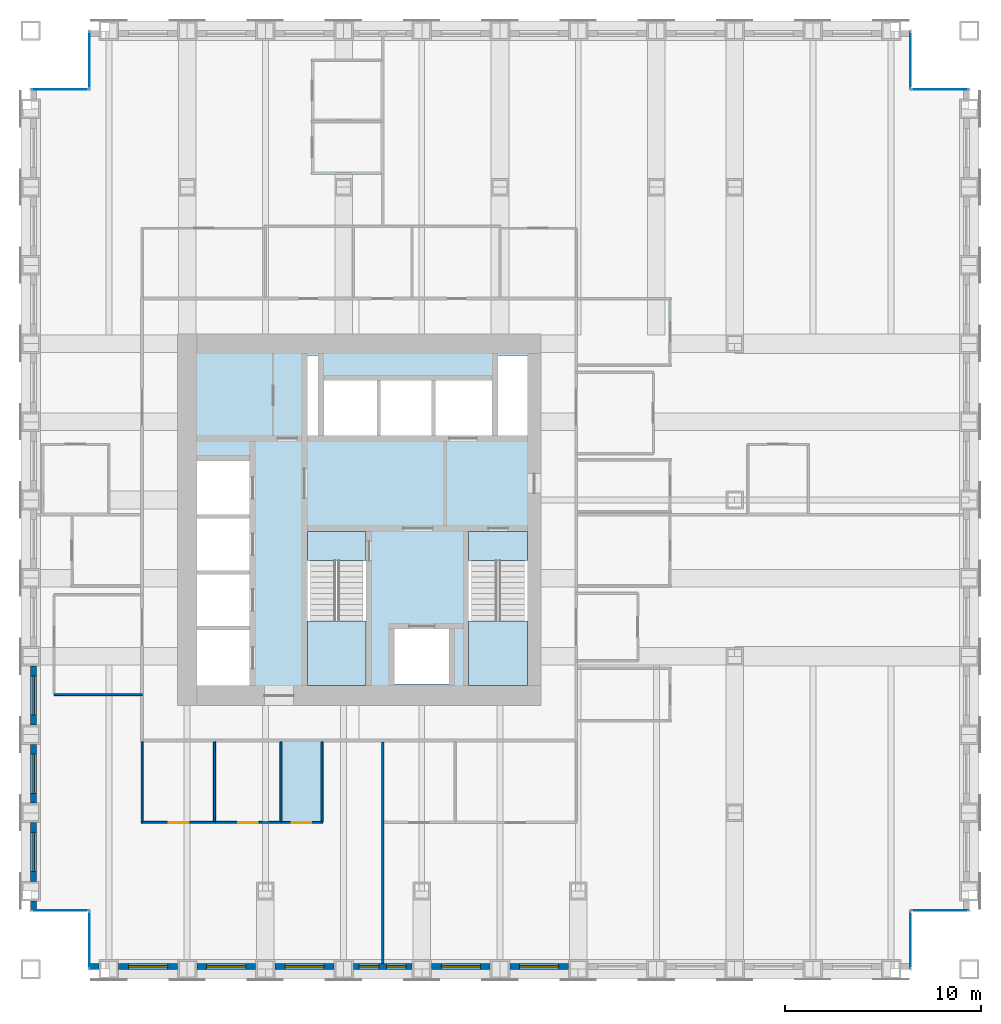
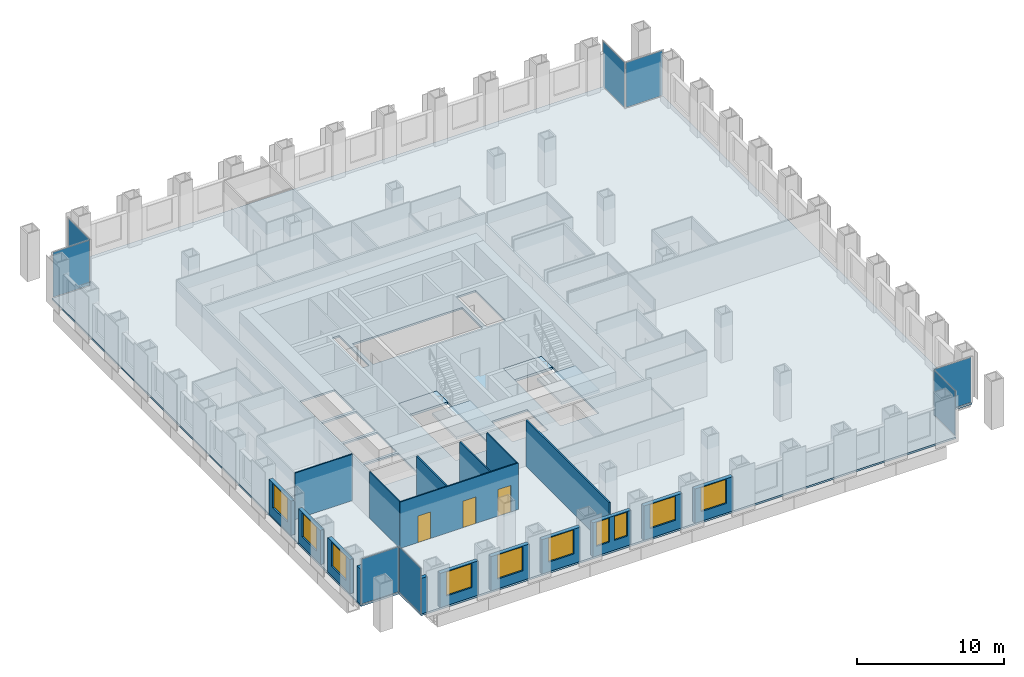
# One storey, part 10 of 16: 18 walls, 10 windows, 8 plates, 5 slabs, 3 doors, 13 openings, 10 elements without a shape of their own.
"""IFC4 building model written with IfcOpenShell, lengths in metres."""

from ifc_helpers import new_model, si_unit, direction, frame, frame_2d, origin, origin_2d, place, context, subcontext, project, spatial, polyline, rectangle, outline, extrude, material, layer, layer_set, type_object, element, fill, aggregate, save


model = new_model("IFC4")

# Units and contexts
model_context = context("Model", 3, precision=1e-05, world=origin(), true_north=direction((0.0, 1.0)))
body_context = subcontext(model_context, "Body", "Model", "MODEL_VIEW")
ifc_project = project(units=[si_unit("LENGTHUNIT", "METRE"), si_unit("AREAUNIT", "SQUARE_METRE"), si_unit("VOLUMEUNIT", "CUBIC_METRE"), si_unit("PLANEANGLEUNIT", "RADIAN"), si_unit("MASSUNIT", "GRAM", prefix="KILO")], contexts=[model_context])

# Site, building, storey
site_placement = place(None, origin())
site = spatial("IfcSite", under=ifc_project, at=site_placement, CompositionType="ELEMENT")
building_placement = place(site_placement, origin())
building = spatial("IfcBuilding", under=site, at=building_placement, Name="Rimbunsela Tower", CompositionType="ELEMENT")
storey_placement = place(building_placement, frame((0.0, 0.0, 129.39990234375)))
storey = spatial("IfcBuildingStorey", under=building, at=storey_placement, Name="L31", CompositionType="ELEMENT", Elevation=129.39990234375)

# Slab
ifc_material_1 = material(Name="Concrete fc' 35 MPa", Category="concrete")
ifc_layer_1 = layer(ifc_material_1, 0.14990234375)
ifc_layer_set_1 = layer_set([ifc_layer_1], Name="Floor slab 150")
slab_type_1 = type_object("IfcSlabType", Name="Floor slab 150", PredefinedType="FLOOR", material=ifc_layer_set_1)
slab_1_placement = place(storey_placement, frame((0.0, 0.0, -0.14990234375)))
element("IfcSlab", 1, at=slab_1_placement, inside=storey, type_object=slab_type_1, Name="Floor slab L31", PredefinedType="FLOOR", context=body_context, shape_type="SweptSolid", body=[
    extrude(outline(polyline([(13.0, 4.0), (55.0, 4.0), (55.0, 7.0), (58.0, 7.0), (58.0, 49.0), (55.0, 49.0), (55.0, 52.0), (13.0, 52.0), (13.0, 49.0), (10.0, 49.0), (10.0, 7.0), (13.0, 7.0), (13.0, 4.0)]), holes=[polyline([(21.199951171875, 21.35009765625), (18.5, 21.35009765625), (18.5, 18.5), (21.199951171875, 18.5), (21.199951171875, 21.35009765625)]), polyline([(21.199951171875, 21.550048828125), (21.199951171875, 24.199951171875), (18.5, 24.199951171875), (18.5, 21.550048828125), (21.199951171875, 21.550048828125)]), polyline([(21.199951171875, 27.050048828125), (18.5, 27.050048828125), (18.5, 24.39990234375), (21.199951171875, 24.39990234375), (21.199951171875, 27.050048828125)]), polyline([(21.199951171875, 27.25), (21.199951171875, 30.0), (18.5, 30.0), (18.5, 27.25), (21.199951171875, 27.25)]), polyline([(27.14990234375, 18.60009765625), (27.14990234375, 26.39990234375), (24.14990234375, 26.39990234375), (24.14990234375, 18.60009765625), (27.14990234375, 18.60009765625)]), polyline([(24.699951171875, 31.300048828125), (24.699951171875, 35.39990234375), (24.14990234375, 35.39990234375), (24.14990234375, 31.300048828125), (24.699951171875, 31.300048828125)]), polyline([(25.0, 34.10009765625), (25.0, 31.300048828125), (33.60009765625, 31.300048828125), (33.60009765625, 34.10009765625), (25.0, 34.10009765625)]), polyline([(31.39990234375, 21.39990234375), (28.60009765625, 21.39990234375), (28.60009765625, 18.60009765625), (31.39990234375, 18.60009765625), (31.39990234375, 21.39990234375)]), polyline([(35.39990234375, 18.60009765625), (35.39990234375, 26.39990234375), (32.39990234375, 26.39990234375), (32.39990234375, 18.60009765625), (35.39990234375, 18.60009765625)]), polyline([(35.39990234375, 31.300048828125), (35.39990234375, 35.39990234375), (33.89990234375, 35.39990234375), (33.89990234375, 31.300048828125), (35.39990234375, 31.300048828125)])]), origin(), (0.0, 0.0, 1.0), 0.14990234375),
])

# Curtain wall, plate
ifc_material_2 = material(Name="Aluminium curtain wall", Category="aluminium")
curtain_wall_type = type_object("IfcCurtainWallType", Name="Corner glazing", PredefinedType="USERDEFINED", material=ifc_material_2)
curtain_wall_1_placement = place(storey_placement, origin())
curtain_wall_1 = element("IfcCurtainWall", 2, at=curtain_wall_1_placement, inside=storey, type_object=curtain_wall_type, Name="Corner glazing L31", ObjectType="CORNER GLAZING", PredefinedType="USERDEFINED")
ifc_material_3 = material(Name="Clear double glazing", Category="glass")
ifc_layer_2 = layer(ifc_material_3, 0.028076171875)
ifc_layer_set_2 = layer_set([ifc_layer_2], Name="Glazed panel clear")
plate_type = type_object("IfcPlateType", Name="Glazed panel clear", PredefinedType="CURTAIN_PANEL", material=ifc_layer_set_2)
plate_1_placement = place(storey_placement, frame((55.0, 5.5, 0.06005859375), z_axis=(0.0, 0.0, 1.0), x_axis=(0.0, 1.0, 0.0)))
plate_1 = element("IfcPlate", 3, at=plate_1_placement, type_object=plate_type, Name="CW5 panel 1.1", PredefinedType="CURTAIN_PANEL", context=body_context, shape_type="SweptSolid", body=[
    extrude(rectangle(XDim=2.8798828125, YDim=0.028076171875, at=origin_2d()), origin(), (0.0, 0.0, 1.0), 3.72998046875),
])
aggregate(curtain_wall_1, [plate_1])

curtain_wall_2_placement = place(storey_placement, origin())
curtain_wall_2 = element("IfcCurtainWall", 4, at=curtain_wall_2_placement, inside=storey, type_object=curtain_wall_type, Name="Corner glazing L31", ObjectType="CORNER GLAZING", PredefinedType="USERDEFINED")
plate_2_placement = place(storey_placement, frame((56.5, 7.0, 0.06005859375), z_axis=(0.0, 0.0, 1.0), x_axis=(1.0, 0.0, 0.0)))
plate_2 = element("IfcPlate", 5, at=plate_2_placement, type_object=plate_type, Name="CW5 panel 1.1", PredefinedType="CURTAIN_PANEL", context=body_context, shape_type="SweptSolid", body=[
    extrude(rectangle(XDim=2.8798828125, YDim=0.028076171875, at=origin_2d()), origin(), (0.0, 0.0, 1.0), 3.72998046875),
])
aggregate(curtain_wall_2, [plate_2])

curtain_wall_3_placement = place(storey_placement, origin())
curtain_wall_3 = element("IfcCurtainWall", 6, at=curtain_wall_3_placement, inside=storey, type_object=curtain_wall_type, Name="Corner glazing L31", ObjectType="CORNER GLAZING", PredefinedType="USERDEFINED")
plate_3_placement = place(storey_placement, frame((56.5, 49.0, 0.06005859375), z_axis=(0.0, 0.0, 1.0), x_axis=(-1.0, 0.0, 0.0)))
plate_3 = element("IfcPlate", 7, at=plate_3_placement, type_object=plate_type, Name="CW5 panel 1.1", PredefinedType="CURTAIN_PANEL", context=body_context, shape_type="SweptSolid", body=[
    extrude(rectangle(XDim=2.8798828125, YDim=0.028076171875, at=origin_2d()), origin(), (0.0, 0.0, 1.0), 3.72998046875),
])
aggregate(curtain_wall_3, [plate_3])

curtain_wall_4_placement = place(storey_placement, origin())
curtain_wall_4 = element("IfcCurtainWall", 8, at=curtain_wall_4_placement, inside=storey, type_object=curtain_wall_type, Name="Corner glazing L31", ObjectType="CORNER GLAZING", PredefinedType="USERDEFINED")
plate_4_placement = place(storey_placement, frame((55.0, 50.5, 0.06005859375), z_axis=(0.0, 0.0, 1.0), x_axis=(0.0, 1.0, 0.0)))
plate_4 = element("IfcPlate", 9, at=plate_4_placement, type_object=plate_type, Name="CW5 panel 1.1", PredefinedType="CURTAIN_PANEL", context=body_context, shape_type="SweptSolid", body=[
    extrude(rectangle(XDim=2.8798828125, YDim=0.028076171875, at=origin_2d()), origin(), (0.0, 0.0, 1.0), 3.72998046875),
])
aggregate(curtain_wall_4, [plate_4])

curtain_wall_5_placement = place(storey_placement, origin())
curtain_wall_5 = element("IfcCurtainWall", 10, at=curtain_wall_5_placement, inside=storey, type_object=curtain_wall_type, Name="Corner glazing L31", ObjectType="CORNER GLAZING", PredefinedType="USERDEFINED")
plate_5_placement = place(storey_placement, frame((13.0, 50.5, 0.06005859375), z_axis=(0.0, 0.0, 1.0), x_axis=(0.0, -1.0, 0.0)))
plate_5 = element("IfcPlate", 11, at=plate_5_placement, type_object=plate_type, Name="CW5 panel 1.1", PredefinedType="CURTAIN_PANEL", context=body_context, shape_type="SweptSolid", body=[
    extrude(rectangle(XDim=2.8798828125, YDim=0.028076171875, at=origin_2d()), origin(), (0.0, 0.0, 1.0), 3.72998046875),
])
aggregate(curtain_wall_5, [plate_5])

curtain_wall_6_placement = place(storey_placement, origin())
curtain_wall_6 = element("IfcCurtainWall", 12, at=curtain_wall_6_placement, inside=storey, type_object=curtain_wall_type, Name="Corner glazing L31", ObjectType="CORNER GLAZING", PredefinedType="USERDEFINED")
plate_6_placement = place(storey_placement, frame((11.5, 49.0, 0.06005859375), z_axis=(0.0, 0.0, 1.0), x_axis=(-1.0, 0.0, 0.0)))
plate_6 = element("IfcPlate", 13, at=plate_6_placement, type_object=plate_type, Name="CW5 panel 1.1", PredefinedType="CURTAIN_PANEL", context=body_context, shape_type="SweptSolid", body=[
    extrude(rectangle(XDim=2.8798828125, YDim=0.028076171875, at=origin_2d()), origin(), (0.0, 0.0, 1.0), 3.72998046875),
])
aggregate(curtain_wall_6, [plate_6])

curtain_wall_7_placement = place(storey_placement, origin())
curtain_wall_7 = element("IfcCurtainWall", 14, at=curtain_wall_7_placement, inside=storey, type_object=curtain_wall_type, Name="Corner glazing L31", ObjectType="CORNER GLAZING", PredefinedType="USERDEFINED")
plate_7_placement = place(storey_placement, frame((11.5, 7.0, 0.06005859375), z_axis=(0.0, 0.0, 1.0), x_axis=(1.0, 0.0, 0.0)))
plate_7 = element("IfcPlate", 15, at=plate_7_placement, type_object=plate_type, Name="CW5 panel 1.1", PredefinedType="CURTAIN_PANEL", context=body_context, shape_type="SweptSolid", body=[
    extrude(rectangle(XDim=2.8798828125, YDim=0.028076171875, at=origin_2d()), origin(), (0.0, 0.0, 1.0), 3.72998046875),
])
aggregate(curtain_wall_7, [plate_7])

curtain_wall_8_placement = place(storey_placement, origin())
curtain_wall_8 = element("IfcCurtainWall", 16, at=curtain_wall_8_placement, inside=storey, type_object=curtain_wall_type, Name="Corner glazing L31", ObjectType="CORNER GLAZING", PredefinedType="USERDEFINED")
plate_8_placement = place(storey_placement, frame((13.0, 5.5, 0.06005859375), z_axis=(0.0, 0.0, 1.0), x_axis=(0.0, -1.0, 0.0)))
plate_8 = element("IfcPlate", 17, at=plate_8_placement, type_object=plate_type, Name="CW5 panel 1.1", PredefinedType="CURTAIN_PANEL", context=body_context, shape_type="SweptSolid", body=[
    extrude(rectangle(XDim=2.8798828125, YDim=0.028076171875, at=origin_2d()), origin(), (0.0, 0.0, 1.0), 3.72998046875),
])
aggregate(curtain_wall_8, [plate_8])

# Stair, slabs
ifc_material_4 = material(Name="Concrete fc' 35 MPa", Category="concrete")
stair_type = type_object("IfcStairType", Name="Exit stair 24 risers", PredefinedType="HALF_TURN_STAIR", material=ifc_material_4)
stair_1_placement = place(storey_placement, origin())
stair_1 = element("IfcStair", 18, at=stair_1_placement, inside=storey, type_object=stair_type, Name="Exit stair A L31", PredefinedType="HALF_TURN_STAIR")
ifc_material_5 = material(Name="Concrete fc' 35 MPa", Category="concrete")
ifc_layer_3 = layer(ifc_material_5, 0.199951171875)
ifc_layer_set_3 = layer_set([ifc_layer_3], Name="Stair landing 200")
slab_type_2 = type_object("IfcSlabType", Name="Stair landing 200", PredefinedType="LANDING", material=ifc_layer_set_3)
slab_2_placement = place(storey_placement, frame((0.0, 0.0, -0.199951171875)))
slab_2 = element("IfcSlab", 19, at=slab_2_placement, type_object=slab_type_2, Name="ST-A landing 1", PredefinedType="LANDING", context=body_context, shape_type="SweptSolid", body=[
    extrude(outline(polyline([(24.14990234375, 24.89990234375), (27.14990234375, 24.89990234375), (27.14990234375, 26.39990234375), (24.14990234375, 26.39990234375), (24.14990234375, 24.89990234375)])), origin(), (0.0, 0.0, 1.0), 0.199951171875),
])
slab_3_placement = place(storey_placement, frame((0.0, 0.0, 1.800048828125)))
slab_3 = element("IfcSlab", 20, at=slab_3_placement, type_object=slab_type_2, Name="ST-A landing 2", PredefinedType="LANDING", context=body_context, shape_type="SweptSolid", body=[
    extrude(outline(polyline([(24.14990234375, 18.5), (27.14990234375, 18.5), (27.14990234375, 21.820068359375), (24.14990234375, 21.820068359375), (24.14990234375, 18.5)])), origin(), (0.0, 0.0, 1.0), 0.199951171875),
])
aggregate(stair_1, [slab_2, slab_3])

stair_2_placement = place(storey_placement, origin())
stair_2 = element("IfcStair", 21, at=stair_2_placement, inside=storey, type_object=stair_type, Name="Exit stair B L31", PredefinedType="HALF_TURN_STAIR")
slab_4_placement = place(storey_placement, frame((0.0, 0.0, -0.199951171875)))
slab_4 = element("IfcSlab", 22, at=slab_4_placement, type_object=slab_type_2, Name="ST-B landing 1", PredefinedType="LANDING", context=body_context, shape_type="SweptSolid", body=[
    extrude(outline(polyline([(32.39990234375, 24.89990234375), (35.39990234375, 24.89990234375), (35.39990234375, 26.39990234375), (32.39990234375, 26.39990234375), (32.39990234375, 24.89990234375)])), origin(), (0.0, 0.0, 1.0), 0.199951171875),
])
slab_5_placement = place(storey_placement, frame((0.0, 0.0, 1.800048828125)))
slab_5 = element("IfcSlab", 23, at=slab_5_placement, type_object=slab_type_2, Name="ST-B landing 2", PredefinedType="LANDING", context=body_context, shape_type="SweptSolid", body=[
    extrude(outline(polyline([(32.39990234375, 18.5), (35.39990234375, 18.5), (35.39990234375, 21.820068359375), (32.39990234375, 21.820068359375), (32.39990234375, 18.5)])), origin(), (0.0, 0.0, 1.0), 0.199951171875),
])
aggregate(stair_2, [slab_4, slab_5])

# Wall, openings, doors
ifc_material_6 = material(Name="Gypsum board on steel studs", Category="steel")
ifc_layer_4 = layer(ifc_material_6, 0.10009765625)
ifc_layer_set_4 = layer_set([ifc_layer_4], Name="Office partition 100")
wall_type_1 = type_object("IfcWallType", Name="Office partition 100", PredefinedType="PARTITIONING", material=ifc_layer_set_4)
wall_1_placement = place(storey_placement, frame((15.64990234375, 11.5, 0.0), z_axis=(0.0, 0.0, 1.0), x_axis=(1.0, 0.0, 0.0)))
wall_1 = element("IfcWall", 24, at=wall_1_placement, inside=storey, type_object=wall_type_1, Name="Office partition", PredefinedType="PARTITIONING", context=body_context, shape_type="SweptSolid", body=[
    extrude(rectangle(XDim=9.300048828125, YDim=0.10009765625, at=frame_2d((4.64990234375, 0.0))), origin(), (0.0, 0.0, 1.0), 3.85009765625),
])
opening_1_placement = place(wall_1_placement, frame((1.39990234375, 0.0, 0.0)))
opening_1 = element("IfcOpeningElement", 25, at=opening_1_placement, cuts=wall_1, Name="Opening D17", PredefinedType="OPENING", context=body_context, shape_type="SweptSolid", body=[
    extrude(rectangle(XDim=1.0, YDim=2.199951171875, at=frame_2d((0.5, 1.10009765625))), frame((0.0, 0.06005859375, 0.0), z_axis=(0.0, -1.0, 0.0), x_axis=(1.0, 0.0, 0.0)), (0.0, 0.0, 1.0), 0.1201171875),
])
opening_2_placement = place(wall_1_placement, frame((4.949951171875, 0.0, 0.0)))
opening_2 = element("IfcOpeningElement", 26, at=opening_2_placement, cuts=wall_1, Name="Opening D16", PredefinedType="OPENING", context=body_context, shape_type="SweptSolid", body=[
    extrude(rectangle(XDim=1.0, YDim=2.199951171875, at=frame_2d((0.5, 1.10009765625))), frame((0.0, 0.06005859375, 0.0), z_axis=(0.0, -1.0, 0.0), x_axis=(1.0, 0.0, 0.0)), (0.0, 0.0, 1.0), 0.1201171875),
])
opening_3_placement = place(wall_1_placement, frame((7.699951171875, 0.0, 0.0)))
opening_3 = element("IfcOpeningElement", 27, at=opening_3_placement, cuts=wall_1, Name="Opening D16", PredefinedType="OPENING", context=body_context, shape_type="SweptSolid", body=[
    extrude(rectangle(XDim=1.0, YDim=2.199951171875, at=frame_2d((0.5, 1.10009765625))), frame((0.0, 0.06005859375, 0.0), z_axis=(0.0, -1.0, 0.0), x_axis=(1.0, 0.0, 0.0)), (0.0, 0.0, 1.0), 0.1201171875),
])
ifc_material_7 = material(Name="Glazed aluminium door", Category="aluminium")
door_type_1 = type_object("IfcDoorType", Name="Meeting room door 1000 glazed", OperationType="SINGLE_SWING_RIGHT", PredefinedType="DOOR", material=ifc_material_7)
door_1_placement = place(opening_1_placement, origin())
door_1 = element("IfcDoor", 28, at=door_1_placement, inside=storey, type_object=door_type_1, Name="Meeting room door", OperationType="SINGLE_SWING_RIGHT", OverallHeight=2.199951171875, OverallWidth=1.0, PredefinedType="DOOR", context=body_context, shape_type="SweptSolid", body=[
    extrude(rectangle(XDim=1.0, YDim=2.199951171875, at=frame_2d((0.5, 1.10009765625))), frame((0.0, 0.02490234375, 0.0), z_axis=(0.0, -1.0, 0.0), x_axis=(1.0, 0.0, 0.0)), (0.0, 0.0, 1.0), 0.050048828125),
])
fill(opening_1, door_1)
ifc_material_8 = material(Name="Timber door", Category="wood")
door_type_2 = type_object("IfcDoorType", Name="Office door 1000", OperationType="SINGLE_SWING_LEFT", PredefinedType="DOOR", material=ifc_material_8)
door_2_placement = place(opening_2_placement, origin())
door_2 = element("IfcDoor", 29, at=door_2_placement, inside=storey, type_object=door_type_2, Name="Office door", OperationType="SINGLE_SWING_LEFT", OverallHeight=2.199951171875, OverallWidth=1.0, PredefinedType="DOOR", context=body_context, shape_type="SweptSolid", body=[
    extrude(rectangle(XDim=1.0, YDim=2.199951171875, at=frame_2d((0.5, 1.10009765625))), frame((0.0, 0.02490234375, 0.0), z_axis=(0.0, -1.0, 0.0), x_axis=(1.0, 0.0, 0.0)), (0.0, 0.0, 1.0), 0.050048828125),
])
fill(opening_2, door_2)
door_3_placement = place(opening_3_placement, origin())
door_3 = element("IfcDoor", 30, at=door_3_placement, inside=storey, type_object=door_type_2, Name="Office door", OperationType="SINGLE_SWING_LEFT", OverallHeight=2.199951171875, OverallWidth=1.0, PredefinedType="DOOR", context=body_context, shape_type="SweptSolid", body=[
    extrude(rectangle(XDim=1.0, YDim=2.199951171875, at=frame_2d((0.5, 1.10009765625))), frame((0.0, 0.02490234375, 0.0), z_axis=(0.0, -1.0, 0.0), x_axis=(1.0, 0.0, 0.0)), (0.0, 0.0, 1.0), 0.050048828125),
])
fill(opening_3, door_3)

# Walls
for number, where, z_axis, x_axis, name in (
    (31, (15.699951171875, 11.550048828125, 0.0), (0.0, 0.0, 1.0), (0.0, 1.0, 0.0), "Office partition"),
    (32, (19.39990234375, 11.550048828125, 0.0), (0.0, 0.0, 1.0), (0.0, 1.0, 0.0), "Office partition"),
    (33, (22.800048828125, 11.550048828125, 0.0), (0.0, 0.0, 1.0), (0.0, 1.0, 0.0), "Office partition"),
    (34, (24.89990234375, 11.550048828125, 0.0), (0.0, 0.0, 1.0), (0.0, 1.0, 0.0), "Office partition"),
):
    element("IfcWall", number, at=place(storey_placement, frame(where, z_axis=z_axis, x_axis=x_axis)), inside=storey, type_object=wall_type_1, Name=name, PredefinedType="PARTITIONING", context=body_context, shape_type="SweptSolid", body=[
        extrude(rectangle(XDim=4.074951171875, YDim=0.10009765625, at=frame_2d((2.03759765625, 0.0))), origin(), (0.0, 0.0, 1.0), 3.85009765625),
    ])
wall_2_placement = place(storey_placement, frame((11.199951171875, 18.049072265625, 0.0), z_axis=(0.0, 0.0, 1.0), x_axis=(1.0, 0.0, 0.0)))
element("IfcWall", 35, at=wall_2_placement, inside=storey, type_object=wall_type_1, Name="Office partition", PredefinedType="PARTITIONING", context=body_context, shape_type="SweptSolid", body=[
    extrude(rectangle(XDim=4.5, YDim=0.10009765625, at=frame_2d((2.25, 0.0))), origin(), (0.0, 0.0, 1.0), 3.85009765625),
])
ifc_material_9 = material(Name="Precast concrete fc' 35 MPa", Category="concrete")
ifc_layer_5 = layer(ifc_material_9, 0.300048828125)
ifc_layer_set_5 = layer_set([ifc_layer_5], Name="Precast concrete fc' 35 MPa")
wall_type_2 = type_object("IfcWallType", Name="Precast facade panel 300", PredefinedType="ELEMENTEDWALL", material=ifc_layer_set_5)
wall_3_placement = place(storey_placement, frame((13.030029296875, 4.14990234375, 0.0), z_axis=(0.0, 0.0, 1.0), x_axis=(1.0, 0.0, 0.0)))
element("IfcWall", 36, at=wall_3_placement, inside=storey, type_object=wall_type_2, Name="Facade panel S L31", PredefinedType="ELEMENTEDWALL", context=body_context, shape_type="SweptSolid", body=[
    extrude(rectangle(XDim=0.469970703125, YDim=0.300048828125, at=frame_2d((0.23486328125, 0.0))), origin(), (0.0, 0.0, 1.0), 2.9501953125),
])

# Wall, opening, window
wall_4_placement = place(storey_placement, frame((14.5, 4.14990234375, 0.0), z_axis=(0.0, 0.0, 1.0), x_axis=(1.0, 0.0, 0.0)))
wall_4 = element("IfcWall", 37, at=wall_4_placement, inside=storey, type_object=wall_type_2, Name="Facade panel S L31", PredefinedType="ELEMENTEDWALL", context=body_context, shape_type="SweptSolid", body=[
    extrude(rectangle(XDim=3.0, YDim=0.300048828125, at=frame_2d((1.5, 0.0))), origin(), (0.0, 0.0, 1.0), 2.85009765625),
])
opening_4_placement = place(wall_4_placement, frame((0.5, 0.0, 0.800048828125)))
opening_4 = element("IfcOpeningElement", 38, at=opening_4_placement, cuts=wall_4, Name="Opening W1", PredefinedType="OPENING", context=body_context, shape_type="SweptSolid", body=[
    extrude(rectangle(XDim=2.0, YDim=2.0, at=frame_2d((1.0, 1.0))), frame((0.0, 0.159912109375, 0.0), z_axis=(0.0, -1.0, 0.0), x_axis=(1.0, 0.0, 0.0)), (0.0, 0.0, 1.0), 0.320068359375),
])
ifc_material_10 = material(Name="Clear glass in aluminium frame", Category="aluminium")
window_type_1 = type_object("IfcWindowType", Name="Window W1 2000x2000", PartitioningType="DOUBLE_PANEL_VERTICAL", PredefinedType="WINDOW", material=ifc_material_10)
window_1_placement = place(opening_4_placement, origin())
window_1 = element("IfcWindow", 39, at=window_1_placement, inside=storey, type_object=window_type_1, Name="Window L31", OverallHeight=2.0, OverallWidth=2.0, PartitioningType="SINGLE_PANEL", PredefinedType="WINDOW", context=body_context, shape_type="SweptSolid", body=[
    extrude(rectangle(XDim=2.0, YDim=2.0, at=frame_2d((1.0, 1.0))), frame((0.0, 0.030029296875, 0.0), z_axis=(0.0, -1.0, 0.0), x_axis=(1.0, 0.0, 0.0)), (0.0, 0.0, 1.0), 0.06005859375),
])
fill(opening_4, window_1)

wall_5_placement = place(storey_placement, frame((18.5, 4.14990234375, 0.0), z_axis=(0.0, 0.0, 1.0), x_axis=(1.0, 0.0, 0.0)))
wall_5 = element("IfcWall", 40, at=wall_5_placement, inside=storey, type_object=wall_type_2, Name="Facade panel S L31", PredefinedType="ELEMENTEDWALL", context=body_context, shape_type="SweptSolid", body=[
    extrude(rectangle(XDim=3.0, YDim=0.300048828125, at=frame_2d((1.5, 0.0))), origin(), (0.0, 0.0, 1.0), 2.85009765625),
])
opening_5_placement = place(wall_5_placement, frame((0.5, 0.0, 0.800048828125)))
opening_5 = element("IfcOpeningElement", 41, at=opening_5_placement, cuts=wall_5, Name="Opening W1", PredefinedType="OPENING", context=body_context, shape_type="SweptSolid", body=[
    extrude(rectangle(XDim=2.0, YDim=2.0, at=frame_2d((1.0, 1.0))), frame((0.0, 0.159912109375, 0.0), z_axis=(0.0, -1.0, 0.0), x_axis=(1.0, 0.0, 0.0)), (0.0, 0.0, 1.0), 0.320068359375),
])
window_2_placement = place(opening_5_placement, origin())
window_2 = element("IfcWindow", 42, at=window_2_placement, inside=storey, type_object=window_type_1, Name="Window L31", OverallHeight=2.0, OverallWidth=2.0, PartitioningType="SINGLE_PANEL", PredefinedType="WINDOW", context=body_context, shape_type="SweptSolid", body=[
    extrude(rectangle(XDim=2.0, YDim=2.0, at=frame_2d((1.0, 1.0))), frame((0.0, 0.030029296875, 0.0), z_axis=(0.0, -1.0, 0.0), x_axis=(1.0, 0.0, 0.0)), (0.0, 0.0, 1.0), 0.06005859375),
])
fill(opening_5, window_2)

wall_6_placement = place(storey_placement, frame((22.5, 4.14990234375, 0.0), z_axis=(0.0, 0.0, 1.0), x_axis=(1.0, 0.0, 0.0)))
wall_6 = element("IfcWall", 43, at=wall_6_placement, inside=storey, type_object=wall_type_2, Name="Facade panel S L31", PredefinedType="ELEMENTEDWALL", context=body_context, shape_type="SweptSolid", body=[
    extrude(rectangle(XDim=3.0, YDim=0.300048828125, at=frame_2d((1.5, 0.0))), origin(), (0.0, 0.0, 1.0), 2.85009765625),
])
opening_6_placement = place(wall_6_placement, frame((0.5, 0.0, 0.800048828125)))
opening_6 = element("IfcOpeningElement", 44, at=opening_6_placement, cuts=wall_6, Name="Opening W1", PredefinedType="OPENING", context=body_context, shape_type="SweptSolid", body=[
    extrude(rectangle(XDim=2.0, YDim=2.0, at=frame_2d((1.0, 1.0))), frame((0.0, 0.159912109375, 0.0), z_axis=(0.0, -1.0, 0.0), x_axis=(1.0, 0.0, 0.0)), (0.0, 0.0, 1.0), 0.320068359375),
])
window_3_placement = place(opening_6_placement, origin())
window_3 = element("IfcWindow", 45, at=window_3_placement, inside=storey, type_object=window_type_1, Name="Window L31", OverallHeight=2.0, OverallWidth=2.0, PartitioningType="SINGLE_PANEL", PredefinedType="WINDOW", context=body_context, shape_type="SweptSolid", body=[
    extrude(rectangle(XDim=2.0, YDim=2.0, at=frame_2d((1.0, 1.0))), frame((0.0, 0.030029296875, 0.0), z_axis=(0.0, -1.0, 0.0), x_axis=(1.0, 0.0, 0.0)), (0.0, 0.0, 1.0), 0.06005859375),
])
fill(opening_6, window_3)

# Wall, openings, windows
wall_7_placement = place(storey_placement, frame((26.5, 4.14990234375, 0.0), z_axis=(0.0, 0.0, 1.0), x_axis=(1.0, 0.0, 0.0)))
wall_7 = element("IfcWall", 46, at=wall_7_placement, inside=storey, type_object=wall_type_2, Name="Facade panel S L31", PredefinedType="ELEMENTEDWALL", context=body_context, shape_type="SweptSolid", body=[
    extrude(rectangle(XDim=3.0, YDim=0.300048828125, at=frame_2d((1.5, 0.0))), origin(), (0.0, 0.0, 1.0), 2.85009765625),
])
opening_7_placement = place(wall_7_placement, frame((0.300048828125, 0.0, 0.800048828125)))
opening_7 = element("IfcOpeningElement", 47, at=opening_7_placement, cuts=wall_7, Name="Opening W5", PredefinedType="OPENING", context=body_context, shape_type="SweptSolid", body=[
    extrude(rectangle(XDim=1.0, YDim=2.0, at=frame_2d((0.5, 1.0))), frame((0.0, 0.159912109375, 0.0), z_axis=(0.0, -1.0, 0.0), x_axis=(1.0, 0.0, 0.0)), (0.0, 0.0, 1.0), 0.320068359375),
])
opening_8_placement = place(wall_7_placement, frame((1.699951171875, 0.0, 0.800048828125)))
opening_8 = element("IfcOpeningElement", 48, at=opening_8_placement, cuts=wall_7, Name="Opening W5", PredefinedType="OPENING", context=body_context, shape_type="SweptSolid", body=[
    extrude(rectangle(XDim=1.0, YDim=2.0, at=frame_2d((0.5, 1.0))), frame((0.0, 0.159912109375, 0.0), z_axis=(0.0, -1.0, 0.0), x_axis=(1.0, 0.0, 0.0)), (0.0, 0.0, 1.0), 0.320068359375),
])
ifc_material_11 = material(Name="Clear glass in aluminium frame", Category="aluminium")
window_type_2 = type_object("IfcWindowType", Name="Window W5 1000x2000", PartitioningType="SINGLE_PANEL", PredefinedType="WINDOW", material=ifc_material_11)
window_4_placement = place(opening_7_placement, origin())
window_4 = element("IfcWindow", 49, at=window_4_placement, inside=storey, type_object=window_type_2, Name="Window L31", OverallHeight=2.0, OverallWidth=1.0, PartitioningType="SINGLE_PANEL", PredefinedType="WINDOW", context=body_context, shape_type="SweptSolid", body=[
    extrude(rectangle(XDim=1.0, YDim=2.0, at=frame_2d((0.5, 1.0))), frame((0.0, 0.030029296875, 0.0), z_axis=(0.0, -1.0, 0.0), x_axis=(1.0, 0.0, 0.0)), (0.0, 0.0, 1.0), 0.06005859375),
])
fill(opening_7, window_4)
window_5_placement = place(opening_8_placement, origin())
window_5 = element("IfcWindow", 50, at=window_5_placement, inside=storey, type_object=window_type_2, Name="Window L31", OverallHeight=2.0, OverallWidth=1.0, PartitioningType="SINGLE_PANEL", PredefinedType="WINDOW", context=body_context, shape_type="SweptSolid", body=[
    extrude(rectangle(XDim=1.0, YDim=2.0, at=frame_2d((0.5, 1.0))), frame((0.0, 0.030029296875, 0.0), z_axis=(0.0, -1.0, 0.0), x_axis=(1.0, 0.0, 0.0)), (0.0, 0.0, 1.0), 0.06005859375),
])
fill(opening_8, window_5)

# Wall, opening, window
wall_8_placement = place(storey_placement, frame((30.5, 4.14990234375, 0.0), z_axis=(0.0, 0.0, 1.0), x_axis=(1.0, 0.0, 0.0)))
wall_8 = element("IfcWall", 51, at=wall_8_placement, inside=storey, type_object=wall_type_2, Name="Facade panel S L31", PredefinedType="ELEMENTEDWALL", context=body_context, shape_type="SweptSolid", body=[
    extrude(rectangle(XDim=3.0, YDim=0.300048828125, at=frame_2d((1.5, 0.0))), origin(), (0.0, 0.0, 1.0), 2.85009765625),
])
opening_9_placement = place(wall_8_placement, frame((0.5, 0.0, 0.800048828125)))
opening_9 = element("IfcOpeningElement", 52, at=opening_9_placement, cuts=wall_8, Name="Opening W1", PredefinedType="OPENING", context=body_context, shape_type="SweptSolid", body=[
    extrude(rectangle(XDim=2.0, YDim=2.0, at=frame_2d((1.0, 1.0))), frame((0.0, 0.159912109375, 0.0), z_axis=(0.0, -1.0, 0.0), x_axis=(1.0, 0.0, 0.0)), (0.0, 0.0, 1.0), 0.320068359375),
])
window_6_placement = place(opening_9_placement, origin())
window_6 = element("IfcWindow", 53, at=window_6_placement, inside=storey, type_object=window_type_1, Name="Window L31", OverallHeight=2.0, OverallWidth=2.0, PartitioningType="SINGLE_PANEL", PredefinedType="WINDOW", context=body_context, shape_type="SweptSolid", body=[
    extrude(rectangle(XDim=2.0, YDim=2.0, at=frame_2d((1.0, 1.0))), frame((0.0, 0.030029296875, 0.0), z_axis=(0.0, -1.0, 0.0), x_axis=(1.0, 0.0, 0.0)), (0.0, 0.0, 1.0), 0.06005859375),
])
fill(opening_9, window_6)

wall_9_placement = place(storey_placement, frame((34.5, 4.14990234375, 0.0), z_axis=(0.0, 0.0, 1.0), x_axis=(1.0, 0.0, 0.0)))
wall_9 = element("IfcWall", 54, at=wall_9_placement, inside=storey, type_object=wall_type_2, Name="Facade panel S L31", PredefinedType="ELEMENTEDWALL", context=body_context, shape_type="SweptSolid", body=[
    extrude(rectangle(XDim=3.0, YDim=0.300048828125, at=frame_2d((1.5, 0.0))), origin(), (0.0, 0.0, 1.0), 2.85009765625),
])
opening_10_placement = place(wall_9_placement, frame((0.5, 0.0, 0.800048828125)))
opening_10 = element("IfcOpeningElement", 55, at=opening_10_placement, cuts=wall_9, Name="Opening W1", PredefinedType="OPENING", context=body_context, shape_type="SweptSolid", body=[
    extrude(rectangle(XDim=2.0, YDim=2.0, at=frame_2d((1.0, 1.0))), frame((0.0, 0.159912109375, 0.0), z_axis=(0.0, -1.0, 0.0), x_axis=(1.0, 0.0, 0.0)), (0.0, 0.0, 1.0), 0.320068359375),
])
window_7_placement = place(opening_10_placement, origin())
window_7 = element("IfcWindow", 56, at=window_7_placement, inside=storey, type_object=window_type_1, Name="Window L31", OverallHeight=2.0, OverallWidth=2.0, PartitioningType="SINGLE_PANEL", PredefinedType="WINDOW", context=body_context, shape_type="SweptSolid", body=[
    extrude(rectangle(XDim=2.0, YDim=2.0, at=frame_2d((1.0, 1.0))), frame((0.0, 0.030029296875, 0.0), z_axis=(0.0, -1.0, 0.0), x_axis=(1.0, 0.0, 0.0)), (0.0, 0.0, 1.0), 0.06005859375),
])
fill(opening_10, window_7)

# Wall
wall_10_placement = place(storey_placement, frame((10.14990234375, 7.5, 0.0), z_axis=(0.0, 0.0, 1.0), x_axis=(0.0, -1.0, 0.0)))
element("IfcWall", 57, at=wall_10_placement, inside=storey, type_object=wall_type_2, Name="Facade panel W L31", PredefinedType="ELEMENTEDWALL", context=body_context, shape_type="SweptSolid", body=[
    extrude(rectangle(XDim=0.469970703125, YDim=0.300048828125, at=frame_2d((0.23486328125, 0.0))), origin(), (0.0, 0.0, 1.0), 2.9501953125),
])

# Wall, opening, window
wall_11_placement = place(storey_placement, frame((10.14990234375, 11.5, 0.0), z_axis=(0.0, 0.0, 1.0), x_axis=(0.0, -1.0, 0.0)))
wall_11 = element("IfcWall", 58, at=wall_11_placement, inside=storey, type_object=wall_type_2, Name="Facade panel W L31", PredefinedType="ELEMENTEDWALL", context=body_context, shape_type="SweptSolid", body=[
    extrude(rectangle(XDim=3.0, YDim=0.300048828125, at=frame_2d((1.5, 0.0))), origin(), (0.0, 0.0, 1.0), 2.85009765625),
])
opening_11_placement = place(wall_11_placement, frame((0.5, 0.0, 0.800048828125)))
opening_11 = element("IfcOpeningElement", 59, at=opening_11_placement, cuts=wall_11, Name="Opening W1", PredefinedType="OPENING", context=body_context, shape_type="SweptSolid", body=[
    extrude(rectangle(XDim=2.0, YDim=2.0, at=frame_2d((1.0, 1.0))), frame((0.0, 0.159912109375, 0.0), z_axis=(0.0, -1.0, 0.0), x_axis=(1.0, 0.0, 0.0)), (0.0, 0.0, 1.0), 0.320068359375),
])
window_8_placement = place(opening_11_placement, origin())
window_8 = element("IfcWindow", 60, at=window_8_placement, inside=storey, type_object=window_type_1, Name="Window L31", OverallHeight=2.0, OverallWidth=2.0, PartitioningType="SINGLE_PANEL", PredefinedType="WINDOW", context=body_context, shape_type="SweptSolid", body=[
    extrude(rectangle(XDim=2.0, YDim=2.0, at=frame_2d((1.0, 1.0))), frame((0.0, 0.030029296875, 0.0), z_axis=(0.0, -1.0, 0.0), x_axis=(1.0, 0.0, 0.0)), (0.0, 0.0, 1.0), 0.06005859375),
])
fill(opening_11, window_8)

wall_12_placement = place(storey_placement, frame((10.14990234375, 15.5, 0.0), z_axis=(0.0, 0.0, 1.0), x_axis=(0.0, -1.0, 0.0)))
wall_12 = element("IfcWall", 61, at=wall_12_placement, inside=storey, type_object=wall_type_2, Name="Facade panel W L31", PredefinedType="ELEMENTEDWALL", context=body_context, shape_type="SweptSolid", body=[
    extrude(rectangle(XDim=3.0, YDim=0.300048828125, at=frame_2d((1.5, 0.0))), origin(), (0.0, 0.0, 1.0), 2.85009765625),
])
opening_12_placement = place(wall_12_placement, frame((0.5, 0.0, 0.800048828125)))
opening_12 = element("IfcOpeningElement", 62, at=opening_12_placement, cuts=wall_12, Name="Opening W1", PredefinedType="OPENING", context=body_context, shape_type="SweptSolid", body=[
    extrude(rectangle(XDim=2.0, YDim=2.0, at=frame_2d((1.0, 1.0))), frame((0.0, 0.159912109375, 0.0), z_axis=(0.0, -1.0, 0.0), x_axis=(1.0, 0.0, 0.0)), (0.0, 0.0, 1.0), 0.320068359375),
])
window_9_placement = place(opening_12_placement, origin())
window_9 = element("IfcWindow", 63, at=window_9_placement, inside=storey, type_object=window_type_1, Name="Window L31", OverallHeight=2.0, OverallWidth=2.0, PartitioningType="SINGLE_PANEL", PredefinedType="WINDOW", context=body_context, shape_type="SweptSolid", body=[
    extrude(rectangle(XDim=2.0, YDim=2.0, at=frame_2d((1.0, 1.0))), frame((0.0, 0.030029296875, 0.0), z_axis=(0.0, -1.0, 0.0), x_axis=(1.0, 0.0, 0.0)), (0.0, 0.0, 1.0), 0.06005859375),
])
fill(opening_12, window_9)

wall_13_placement = place(storey_placement, frame((10.14990234375, 19.5, 0.0), z_axis=(0.0, 0.0, 1.0), x_axis=(0.0, -1.0, 0.0)))
wall_13 = element("IfcWall", 64, at=wall_13_placement, inside=storey, type_object=wall_type_2, Name="Facade panel W L31", PredefinedType="ELEMENTEDWALL", context=body_context, shape_type="SweptSolid", body=[
    extrude(rectangle(XDim=3.0, YDim=0.300048828125, at=frame_2d((1.5, 0.0))), origin(), (0.0, 0.0, 1.0), 2.85009765625),
])
opening_13_placement = place(wall_13_placement, frame((0.5, 0.0, 0.800048828125)))
opening_13 = element("IfcOpeningElement", 65, at=opening_13_placement, cuts=wall_13, Name="Opening W1", PredefinedType="OPENING", context=body_context, shape_type="SweptSolid", body=[
    extrude(rectangle(XDim=2.0, YDim=2.0, at=frame_2d((1.0, 1.0))), frame((0.0, 0.159912109375, 0.0), z_axis=(0.0, -1.0, 0.0), x_axis=(1.0, 0.0, 0.0)), (0.0, 0.0, 1.0), 0.320068359375),
])
window_10_placement = place(opening_13_placement, origin())
window_10 = element("IfcWindow", 66, at=window_10_placement, inside=storey, type_object=window_type_1, Name="Window L31", OverallHeight=2.0, OverallWidth=2.0, PartitioningType="SINGLE_PANEL", PredefinedType="WINDOW", context=body_context, shape_type="SweptSolid", body=[
    extrude(rectangle(XDim=2.0, YDim=2.0, at=frame_2d((1.0, 1.0))), frame((0.0, 0.030029296875, 0.0), z_axis=(0.0, -1.0, 0.0), x_axis=(1.0, 0.0, 0.0)), (0.0, 0.0, 1.0), 0.06005859375),
])
fill(opening_13, window_10)

# Wall
ifc_material_12 = material(Name="Gypsum board on steel studs", Category="steel")
ifc_layer_6 = layer(ifc_material_12, 0.1201171875)
ifc_layer_set_6 = layer_set([ifc_layer_6], Name="Tenancy partition 120")
wall_type_3 = type_object("IfcWallType", Name="Tenancy partition 120", PredefinedType="PARTITIONING", material=ifc_layer_set_6)
wall_14_placement = place(storey_placement, frame((28.0, 4.300048828125, 0.0), z_axis=(0.0, 0.0, 1.0), x_axis=(0.0, 1.0, 0.0)))
element("IfcWall", 67, at=wall_14_placement, inside=storey, type_object=wall_type_3, Name="Tenancy partition south", PredefinedType="PARTITIONING", context=body_context, shape_type="SweptSolid", body=[
    extrude(rectangle(XDim=11.324951171875, YDim=0.1201171875, at=frame_2d((5.66259765625, 0.0))), origin(), (0.0, 0.0, 1.0), 3.85009765625),
])

save(model, "model.ifc")
